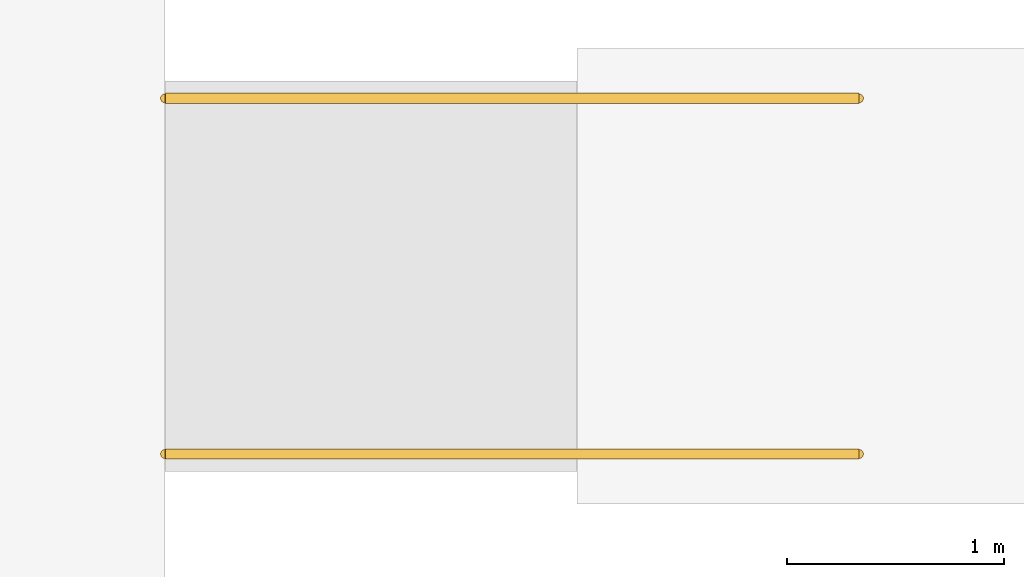
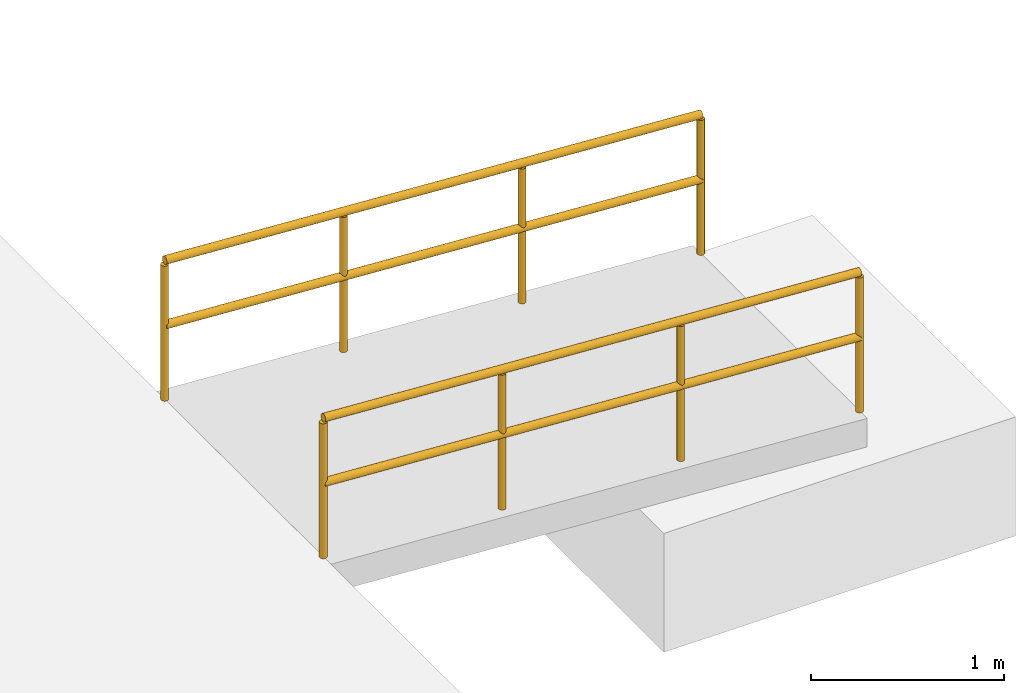
# One storey, part 100 of 101: 2 railings.
"""IFC4 building model written with IfcOpenShell, lengths in metres."""

import ifcopenshell
import ifcopenshell.guid

model = None  # the IFC model being written
_history = None  # IfcOwnerHistory: only IFC2X3 demands one
_inside = {}  # id of a spatial element -> (the spatial element, [elements in it])
_under = {}  # id of a project, library or spatial element -> (it, [spatial elements below it])
_declared = {}  # id of a project -> (the project, [libraries it declares])
_typed = {}  # id of a type object -> (the type object, [elements of that type])
_made_of = {}  # id of a material, layer set ... -> (it, [elements and type objects made of it])


def new_model(schema):
    """Start an empty IFC model of exactly this schema.

    Asked for "IFC4X3", IfcOpenShell would pick the latest addendum, in which some entities
    have other attributes; the version numbers below select the first issue.
    IFC2X3 requires an IfcOwnerHistory on every rooted entity: one is made here for all.
    """
    global model, _history
    if schema == "IFC4X3":
        model = ifcopenshell.file(schema_version=(4, 3, 0, 0))
    else:
        model = ifcopenshell.file(schema=schema)
    _inside.clear()
    _under.clear()
    _declared.clear()
    _typed.clear()
    _made_of.clear()
    _history = None
    if model.schema == "IFC2X3":
        org = make("IfcOrganization", Name="unknown")
        user = make(
            "IfcPersonAndOrganization",
            ThePerson=make("IfcPerson", FamilyName="unknown"),
            TheOrganization=org,
        )
        app = make(
            "IfcApplication",
            ApplicationDeveloper=org,
            Version="unknown",
            ApplicationFullName="unknown",
            ApplicationIdentifier="unknown",
        )
        _history = make(
            "IfcOwnerHistory",
            OwningUser=user,
            OwningApplication=app,
            ChangeAction="ADDED",
            CreationDate=0,
        )
    return model


def make(cls, **values):
    """One entity of the class cls with the attributes given. An attribute that is None is left unset."""
    return model.create_entity(
        cls, **{name: value for name, value in values.items() if value is not None}
    )


def rooted(cls, **values):
    """An entity with a GlobalId (a new one), such as an element, a storey or a relation."""
    return make(cls, GlobalId=ifcopenshell.guid.new(), OwnerHistory=_history, **values)


def si_unit(unit_type, name, prefix=None):
    """IfcSIUnit, for example si_unit("LENGTHUNIT", "METRE", prefix="MILLI")."""
    return make("IfcSIUnit", UnitType=unit_type, Prefix=prefix, Name=name)


def derived_unit(unit_type, elements):
    """IfcDerivedUnit: a product of units, each with its exponent."""
    return make(
        "IfcDerivedUnit",
        Elements=[
            make("IfcDerivedUnitElement", Unit=unit, Exponent=power)
            for unit, power in elements
        ],
        UnitType=unit_type,
    )


def assignment(units):
    """IfcUnitAssignment: the units of a project."""
    return None if units is None else make("IfcUnitAssignment", Units=units)


def point(xyz):
    """IfcCartesianPoint."""
    return None if xyz is None else make("IfcCartesianPoint", Coordinates=xyz)


def direction(xyz):
    """IfcDirection."""
    return None if xyz is None else make("IfcDirection", DirectionRatios=xyz)


def frame(location, z_axis=None, x_axis=None):
    """IfcAxis2Placement3D, a coordinate frame: its origin and axes. An axis left out is left unset."""
    return make(
        "IfcAxis2Placement3D",
        Location=point(location),
        Axis=direction(z_axis),
        RefDirection=direction(x_axis),
    )


def frame_2d(location, x_axis=None):
    """IfcAxis2Placement2D, a coordinate frame in the plane: its origin and x axis."""
    return make(
        "IfcAxis2Placement2D", Location=point(location), RefDirection=direction(x_axis)
    )


def origin():
    """The frame at (0, 0, 0) with its axes left unset."""
    return frame((0.0, 0.0, 0.0))


def origin_2d():
    """The frame at (0, 0) in the plane with its x axis left unset."""
    return frame_2d((0.0, 0.0))


def place(relative_to, where):
    """IfcLocalPlacement: puts the frame where relative to a parent placement (None: the world)."""
    return make(
        "IfcLocalPlacement", PlacementRelTo=relative_to, RelativePlacement=where
    )


def context(
    kind, dimensions, precision=None, world=None, true_north=None, identifier=None
):
    """IfcGeometricRepresentationContext, for example the 3D "Model" context."""
    return make(
        "IfcGeometricRepresentationContext",
        ContextIdentifier=identifier,
        ContextType=kind,
        CoordinateSpaceDimension=dimensions,
        Precision=precision,
        WorldCoordinateSystem=world,
        TrueNorth=true_north,
    )


def subcontext(parent, identifier, kind, view, scale=None):
    """IfcGeometricRepresentationSubContext, for example "Body" below "Model"."""
    return make(
        "IfcGeometricRepresentationSubContext",
        ContextIdentifier=identifier,
        ContextType=kind,
        ParentContext=parent,
        TargetScale=scale,
        TargetView=view,
    )


def project(units=None, contexts=None):
    """IfcProject with its units and contexts."""
    return rooted(
        "IfcProject",
        Name="project",
        RepresentationContexts=contexts,
        UnitsInContext=assignment(units),
    )


def spatial(cls, under=None, at=None, **own):
    """A site, building, storey or space (cls), placed at a placement, below another one or the project."""
    s = rooted(cls, ObjectPlacement=at, **own)
    if under is not None:
        _under.setdefault(under.id(), (under, []))[1].append(s)
    return s


def profile(cls, at=None, kind="AREA", **sizes):
    """A parametric profile (cls). Its sizes go by their IFC names, for example OverallWidth=200.0."""
    return make(cls, ProfileType=kind, Position=at, **sizes)


def circle(**sizes):
    """IfcCircleProfileDef."""
    return profile("IfcCircleProfileDef", **sizes)


def extrude(swept, where, along, depth):
    """IfcExtrudedAreaSolid: the profile swept, set in the frame where, extruded along a direction by depth."""
    return make(
        "IfcExtrudedAreaSolid",
        SweptArea=swept,
        Position=where,
        ExtrudedDirection=direction(along),
        Depth=depth,
    )


def shape(context_of_items, identifier, shape_type, items):
    """IfcShapeRepresentation: the items that make up one representation, for example the "Body"."""
    return make(
        "IfcShapeRepresentation",
        ContextOfItems=context_of_items,
        RepresentationIdentifier=identifier,
        RepresentationType=shape_type,
        Items=items,
    )


def material(Name=None, Category=None):
    """IfcMaterial."""
    return make("IfcMaterial", Name=Name, Category=Category)


def made_of(thing, what):
    """Note that an element or type object is made of a material, layer set ...; save() writes the relation."""
    if what is not None:
        _made_of.setdefault(what.id(), (what, []))[1].append(thing)
    return thing


def type_object(cls, material=None, **own):
    """A type object (cls), such as IfcWallType, which elements share."""
    return made_of(rooted(cls, **own), material)


def element(
    cls,
    number,
    at=None,
    inside=None,
    cuts=None,
    type_object=None,
    material=None,
    context=None,
    identifier="Body",
    shape_type=None,
    held_by="IfcProductDefinitionShape",
    body=None,
    shapes=None,
    **own,
):
    """One element of the class cls, such as IfcWall. Its Tag is "e" and its number.

    at: its placement. inside: the storey or other place that contains it. cuts: it is an
    opening in that element (IfcRelVoidsElement). A single representation is given by context,
    identifier, shape_type and body (its items); several are given by shapes. held_by: the class
    of the entity that holds the representations. save() writes the other relations.
    """
    e = rooted(cls, Tag="e%d" % number, ObjectPlacement=at, **own)
    if body is not None:
        shapes = [shape(context, identifier, shape_type, body)]
    if shapes is not None:
        e.Representation = make(held_by, Representations=shapes)
    if inside is not None:
        _inside.setdefault(inside.id(), (inside, []))[1].append(e)
    if cuts is not None:
        rooted(
            "IfcRelVoidsElement", RelatingBuildingElement=cuts, RelatedOpeningElement=e
        )
    if type_object is not None:
        _typed.setdefault(type_object.id(), (type_object, []))[1].append(e)
    return made_of(e, material)


def aggregate(whole, parts):
    """IfcRelAggregates: a whole, such as a stair, and the parts it consists of."""
    return rooted("IfcRelAggregates", RelatingObject=whole, RelatedObjects=parts)


def save(model, path):
    """Write the relations noted so far, then the file.

    IfcRelAggregates (storeys below a building ...), IfcRelContainedInSpatialStructure (elements
    in a storey), IfcRelDefinesByType, IfcRelAssociatesMaterial and IfcRelDeclares: one each for
    every whole, place, type object, material and project.
    """
    for whole, parts in _under.values():
        aggregate(whole, parts)
    for where, things in _inside.values():
        rooted(
            "IfcRelContainedInSpatialStructure",
            RelatedElements=things,
            RelatingStructure=where,
        )
    for kind, things in _typed.values():
        rooted("IfcRelDefinesByType", RelatedObjects=things, RelatingType=kind)
    for what, things in _made_of.values():
        rooted("IfcRelAssociatesMaterial", RelatedObjects=things, RelatingMaterial=what)
    for by, libraries in _declared.values():
        rooted("IfcRelDeclares", RelatingContext=by, RelatedDefinitions=libraries)
    model.write(path)


model = new_model("IFC4")

# Units and contexts
model_context = context("Model", 3, precision=1e-05, world=origin(), true_north=direction((0.0, 1.0)))
body_context = subcontext(model_context, "Body", "Model", "MODEL_VIEW")
ifc_project = project(units=[si_unit("LENGTHUNIT", "METRE"), si_unit("AREAUNIT", "SQUARE_METRE"), si_unit("VOLUMEUNIT", "CUBIC_METRE"), si_unit("PLANEANGLEUNIT", "RADIAN"), si_unit("MASSUNIT", "GRAM", prefix="KILO"), derived_unit("THERMALTRANSMITTANCEUNIT", [(si_unit("POWERUNIT", "WATT"), 1), (si_unit("AREAUNIT", "SQUARE_METRE"), -1), (si_unit("THERMODYNAMICTEMPERATUREUNIT", "KELVIN"), -1)])], contexts=[model_context])

# Site, building, storey
site_placement = place(None, origin())
site = spatial("IfcSite", under=ifc_project, at=site_placement, CompositionType="ELEMENT")
building_placement = place(site_placement, origin())
building = spatial("IfcBuilding", under=site, at=building_placement, Name="Yasenodar Specialist Clinic", CompositionType="ELEMENT")
storey_placement = place(building_placement, origin())
storey = spatial("IfcBuildingStorey", under=building, at=storey_placement, Name="L00", CompositionType="ELEMENT", Elevation=0.0)

# Railings
ifc_material = material(Name="Brushed Stainless Steel Handrail", Category="steel")
railing_type = type_object("IfcRailingType", Name="RL-ST-HND", PredefinedType="HANDRAIL", material=ifc_material)
for number, where, name in (
    (1, (137.699951171875, 99.179931640625, -0.199951171875), "East Healing Garden Accessible Ramp Handrail L"),
    (2, (137.699951171875, 100.820068359375, -0.199951171875), "East Healing Garden Accessible Ramp Handrail R"),
):
    element("IfcRailing", number, at=place(storey_placement, frame(where)), inside=storey, type_object=railing_type, Name=name, PredefinedType="HANDRAIL", context=body_context, shape_type="SweptSolid", body=[
        extrude(circle(Radius=0.02392578125, at=origin_2d()), frame((0.0, 0.0, 0.8759765625), z_axis=(-0.998053467252, 0.0, 0.062364064216), x_axis=(0.0, -1.0, 0.0)), (0.0, 0.0, 1.0), 3.206298828125),
        extrude(circle(Radius=0.02392578125, at=origin_2d()), frame((0.0, 0.0, 0.468017578125), z_axis=(-0.998053467252, 0.0, 0.062364064216), x_axis=(0.0, -1.0, 0.0)), (0.0, 0.0, 1.0), 3.206298828125),
        extrude(circle(Radius=0.02099609375, at=origin_2d()), origin(), (0.0, 0.0, 1.0), 0.851806640625),
        extrude(circle(Radius=0.02099609375, at=origin_2d()), frame((-1.066650390625, 0.0, 0.066650390625)), (0.0, 0.0, 1.0), 0.851806640625),
        extrude(circle(Radius=0.02099609375, at=origin_2d()), frame((-2.13330078125, 0.0, 0.13330078125)), (0.0, 0.0, 1.0), 0.851806640625),
        extrude(circle(Radius=0.02099609375, at=origin_2d()), frame((-3.199951171875, 0.0, 0.199951171875)), (0.0, 0.0, 1.0), 0.851806640625),
    ])

save(model, "model.ifc")
